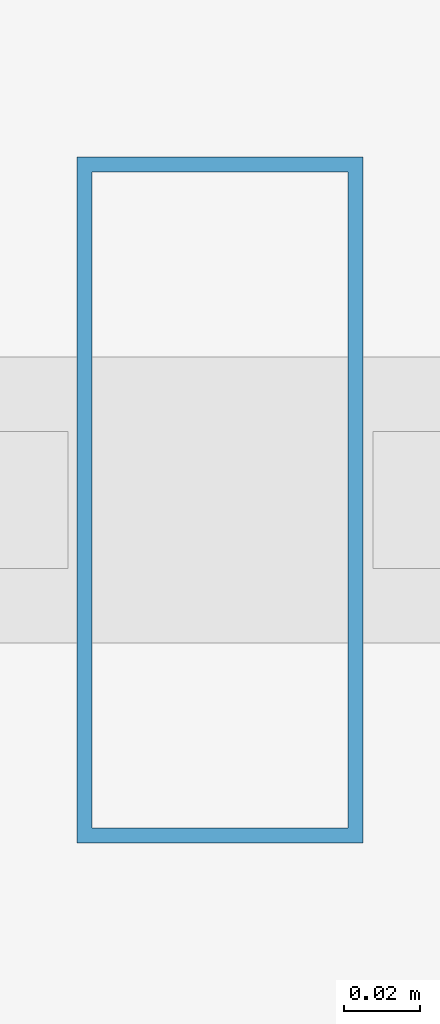
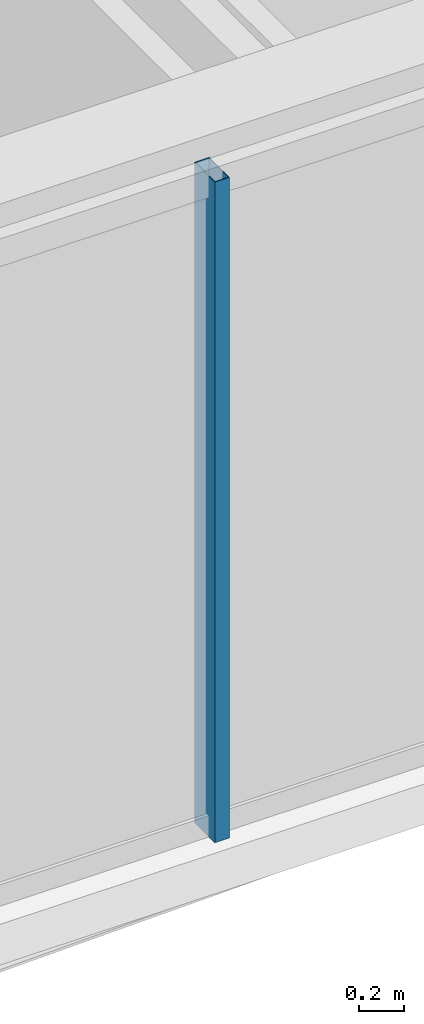
# One storey, part 9 of 31: 1 member, 1 element without a shape of its own.
"""IFC4 building model written with IfcOpenShell, lengths in metres."""

from ifc_helpers import new_model, si_unit, direction, frame, origin, origin_2d, place, context, subcontext, project, spatial, hollow_rectangle, extrude, material, layer, layer_set, material_profile, profile_set, type_object, element, aggregate, save


model = new_model("IFC4")

# Units and contexts
model_context = context("Model", 3, precision=1e-05, world=origin(), true_north=direction((0.0, 1.0)))
body_context = subcontext(model_context, "Body", "Model", "MODEL_VIEW")
ifc_project = project(units=[si_unit("LENGTHUNIT", "METRE"), si_unit("AREAUNIT", "SQUARE_METRE"), si_unit("VOLUMEUNIT", "CUBIC_METRE"), si_unit("PLANEANGLEUNIT", "RADIAN"), si_unit("MASSUNIT", "GRAM", prefix="KILO")], contexts=[model_context])

# Site, building, storey
site_placement = place(None, origin())
site = spatial("IfcSite", under=ifc_project, at=site_placement, CompositionType="ELEMENT")
building_placement = place(site_placement, origin())
building = spatial("IfcBuilding", under=site, at=building_placement, Name="Ndaravel Arena Tower", CompositionType="ELEMENT")
storey_placement = place(building_placement, frame((0.0, 0.0, 142.199951171875)))
storey = spatial("IfcBuildingStorey", under=building, at=storey_placement, Name="L33", CompositionType="ELEMENT", Elevation=142.199951171875)

# Curtain wall, member
ifc_material_1 = material(Name="Aluminium", Category="aluminium")
ifc_layer = layer(ifc_material_1, 0.179931640625)
ifc_layer_set = layer_set([ifc_layer], Name="Aluminium")
curtain_wall_type = type_object("IfcCurtainWallType", Name="CW-SYS-03", PredefinedType="NOTDEFINED", material=ifc_layer_set)
curtain_wall_placement = place(storey_placement, origin())
curtain_wall = element("IfcCurtainWall", 1, at=curtain_wall_placement, inside=storey, type_object=curtain_wall_type, Name="L33 Faceted Crystal Curtain Wall CW-L33-E01", PredefinedType="NOTDEFINED")
ifc_material_2 = material(Name="Aluminium", Category="aluminium")
ifc_material_profile = material_profile(ifc_material_2, hollow_rectangle(XDim=0.074951171875, YDim=0.179931640625, WallThickness=0.00390625, at=origin_2d()), Name="CW MULLION 75x180x4")
ifc_profile_set = profile_set([ifc_material_profile], Name="Aluminium")
member_type = type_object("IfcMemberType", Name="MEM-CW-MUL180", PredefinedType="MULLION", material=ifc_profile_set)
member_placement = place(storey_placement, frame((46.43994140625, 5.159912109375, 0.0), z_axis=(0.0, 0.0, 1.0), x_axis=(1.0, 0.0, 0.0)))
member = element("IfcMember", 2, at=member_placement, type_object=member_type, Name="CW-L33-E01 Mullion 05", PredefinedType="MULLION", context=body_context, shape_type="SweptSolid", body=[
    extrude(hollow_rectangle(XDim=0.074951171875, YDim=0.179931640625, WallThickness=0.00390625, at=origin_2d()), origin(), (0.0, 0.0, 1.0), 3.580078125),
])
aggregate(curtain_wall, [member])

save(model, "model.ifc")
